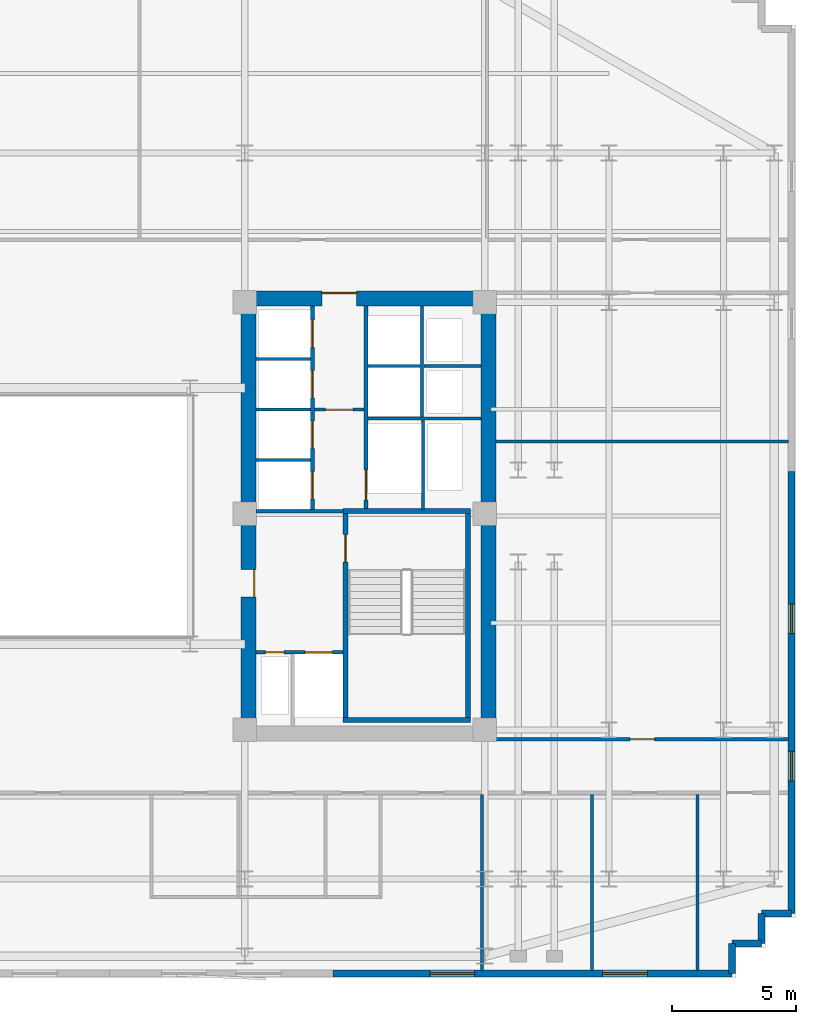
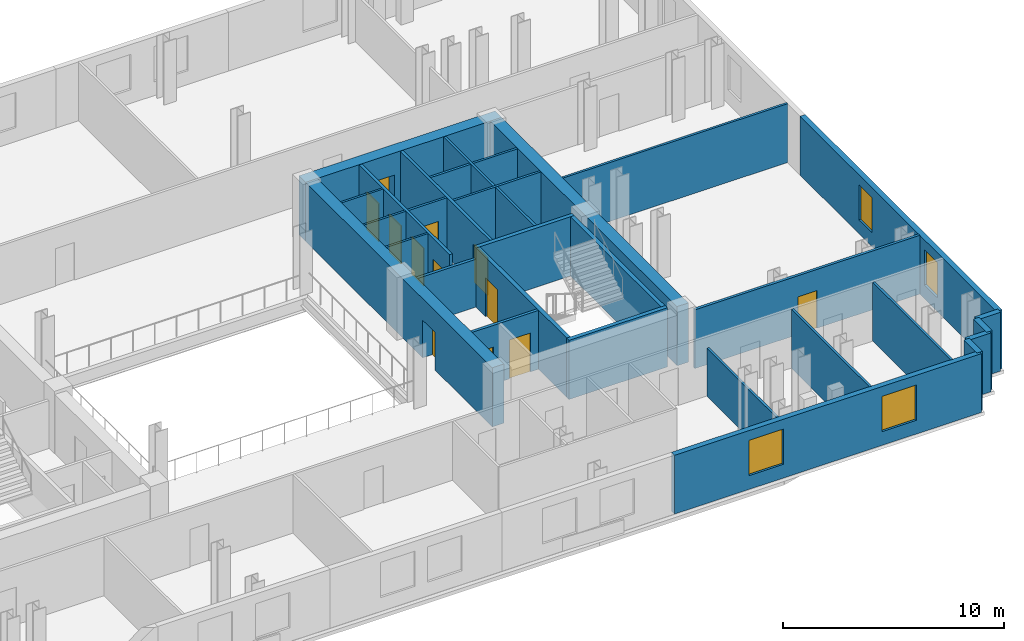
# One storey, part 6 of 9: 31 walls, 12 doors, 4 windows, 16 openings.
"""IFC4 building model written with IfcOpenShell, lengths in metres."""

from ifc_helpers import new_model, si_unit, direction, frame, frame_2d, origin, place, context, subcontext, project, spatial, rectangle, extrude, material, layer, layer_set, type_object, element, fill, save


model = new_model("IFC4")

# Units and contexts
model_context = context("Model", 3, precision=1e-05, world=origin(), true_north=direction((0.0, 1.0)))
body_context = subcontext(model_context, "Body", "Model", "MODEL_VIEW")
ifc_project = project(units=[si_unit("LENGTHUNIT", "METRE"), si_unit("AREAUNIT", "SQUARE_METRE"), si_unit("VOLUMEUNIT", "CUBIC_METRE"), si_unit("PLANEANGLEUNIT", "RADIAN"), si_unit("MASSUNIT", "GRAM", prefix="KILO")], contexts=[model_context])

# Site, building, storey
site_placement = place(None, origin())
site = spatial("IfcSite", under=ifc_project, at=site_placement, CompositionType="ELEMENT")
building_placement = place(site_placement, origin())
building = spatial("IfcBuilding", under=site, at=building_placement, Name="Velakula Bourse", CompositionType="ELEMENT")
storey_placement = place(building_placement, frame((0.0, 0.0, 131.199951171875)))
storey = spatial("IfcBuildingStorey", under=building, at=storey_placement, Name="L35", CompositionType="ELEMENT", Elevation=131.199951171875)

# Wall, opening, door
ifc_material_1 = material(Name="Concrete M50 (fck 50 MPa)", Category="concrete")
ifc_layer_1 = layer(ifc_material_1, 0.2099609375, Name="Concrete M50 (fck 50 MPa)", Category="concrete")
ifc_layer_set_1 = layer_set([ifc_layer_1], Name="Concrete M50 (fck 50 MPa)")
wall_type_1 = type_object("IfcWallType", Name="WL-CORE-210", PredefinedType="SHEAR", material=ifc_layer_set_1)
wall_1_placement = place(storey_placement, frame((12.9951171875, -8.10009765625, 0.0), z_axis=(0.0, 0.0, 1.0), x_axis=(0.0, 1.0, 0.0)))
wall_1 = element("IfcWall", 1, at=wall_1_placement, inside=storey, type_object=wall_type_1, Name="L35 Core E Stairwell Shear Wall IN", PredefinedType="SHEAR", context=body_context, shape_type="SweptSolid", body=[
    extrude(rectangle(XDim=8.2001953125, YDim=0.2099609375, at=frame_2d((4.10009765625, 0.0))), origin(), (0.0, 0.0, 1.0), 3.27001953125),
])
opening_1_placement = place(wall_1_placement, frame((6.25, 0.0, 0.0)))
opening_1 = element("IfcOpeningElement", 2, at=opening_1_placement, cuts=wall_1, Name="Opening D-STE1", PredefinedType="OPENING", context=body_context, shape_type="SweptSolid", body=[
    extrude(rectangle(XDim=1.10009765625, YDim=2.14990234375, at=frame_2d((0.550048828125, 1.074951171875))), frame((0.0, 0.114990234375, 0.0), z_axis=(0.0, -1.0, 0.0), x_axis=(1.0, 0.0, 0.0)), (0.0, 0.0, 1.0), 0.22998046875),
])
ifc_material_2 = material(Name="Galvanised painted hollow steel fire door", Category="steel")
door_type_1 = type_object("IfcDoorType", Name="DR-FD120-1100x2150", OperationType="NOTDEFINED", PredefinedType="DOOR", material=ifc_material_2)
door_1_placement = place(opening_1_placement, origin())
door_1 = element("IfcDoor", 3, at=door_1_placement, inside=storey, type_object=door_type_1, Name="L35 Stair ST-E1 Fire Door", OperationType="SINGLE_SWING_RIGHT", OverallHeight=2.14990234375, OverallWidth=1.10009765625, PredefinedType="DOOR", context=body_context, shape_type="SweptSolid", body=[
    extrude(rectangle(XDim=1.10009765625, YDim=2.14990234375, at=frame_2d((0.550048828125, 1.074951171875))), frame((0.0, 0.02490234375, 0.0), z_axis=(0.0, -1.0, 0.0), x_axis=(1.0, 0.0, 0.0)), (0.0, 0.0, 1.0), 0.050048828125),
])
fill(opening_1, door_1)

# Walls
wall_2_placement = place(storey_placement, frame((17.925048828125, -8.10009765625, 0.0), z_axis=(0.0, 0.0, 1.0), x_axis=(0.0, 1.0, 0.0)))
element("IfcWall", 4, at=wall_2_placement, inside=storey, type_object=wall_type_1, Name="L35 Core E Stairwell Shear Wall OUT", PredefinedType="SHEAR", context=body_context, shape_type="SweptSolid", body=[
    extrude(rectangle(XDim=8.2001953125, YDim=0.2099609375, at=frame_2d((4.10009765625, 0.0))), origin(), (0.0, 0.0, 1.0), 3.27001953125),
])
for number, where, z_axis, x_axis, name in (
    (5, (12.889892578125, -8.205078125, 0.0), (0.0, 0.0, 1.0), (1.0, 0.0, 0.0), "L35 Core E Stairwell Shear Wall S"),
    (6, (18.030029296875, 0.205078125, 0.0), (0.0, 0.0, 1.0), (-1.0, 0.0, 0.0), "L35 Core E Stairwell Shear Wall N"),
):
    element("IfcWall", number, at=place(storey_placement, frame(where, z_axis=z_axis, x_axis=x_axis)), inside=storey, type_object=wall_type_1, Name=name, PredefinedType="SHEAR", context=body_context, shape_type="SweptSolid", body=[
        extrude(rectangle(XDim=5.14013671875, YDim=0.2099609375, at=frame_2d((2.570068359375, 0.0))), origin(), (0.0, 0.0, 1.0), 3.27001953125),
    ])

# Wall, opening, door
ifc_material_3 = material(Name="Concrete M70 (fck 70 MPa)", Category="concrete")
ifc_layer_2 = layer(ifc_material_3, 0.60009765625, Name="Concrete M70 (fck 70 MPa)", Category="concrete")
ifc_layer_set_2 = layer_set([ifc_layer_2], Name="Concrete M70 (fck 70 MPa)")
wall_type_2 = type_object("IfcWallType", Name="WL-CORE-600", PredefinedType="SHEAR", material=ifc_layer_set_2)
wall_3_placement = place(storey_placement, frame((8.800048828125, 8.75, 0.0), z_axis=(0.0, 0.0, 1.0), x_axis=(1.0, 0.0, 0.0)))
wall_3 = element("IfcWall", 7, at=wall_3_placement, inside=storey, type_object=wall_type_2, Name="L35 Core E Shear Wall N", PredefinedType="SHEAR", context=body_context, shape_type="SweptSolid", body=[
    extrude(rectangle(XDim=10.25, YDim=0.60009765625, at=frame_2d((5.125, 0.0))), origin(), (0.0, 0.0, 1.0), 3.27001953125),
])
opening_2_placement = place(wall_3_placement, frame((3.25, 0.0, 0.0)))
opening_2 = element("IfcOpeningElement", 8, at=opening_2_placement, cuts=wall_3, Name="Opening D-LLE", PredefinedType="OPENING", context=body_context, shape_type="SweptSolid", body=[
    extrude(rectangle(XDim=1.39990234375, YDim=2.050048828125, at=frame_2d((0.699951171875, 1.02490234375))), frame((0.0, 0.31005859375, 0.0), z_axis=(0.0, -1.0, 0.0), x_axis=(1.0, 0.0, 0.0)), (0.0, 0.0, 1.0), 0.6201171875),
])
ifc_material_4 = material(Name="Fire-rated hardwood flush architectural door", Category="wood")
door_type_2 = type_object("IfcDoorType", Name="DR-DBL-FD60-1400", OperationType="DOUBLE_DOOR_SINGLE_SWING", PredefinedType="DOOR", material=ifc_material_4)
door_2_placement = place(opening_2_placement, origin())
door_2 = element("IfcDoor", 9, at=door_2_placement, inside=storey, type_object=door_type_2, Name="L35 Core E Lift Lobby Corridor Double Door", OperationType="DOUBLE_DOOR_SINGLE_SWING", OverallHeight=2.050048828125, OverallWidth=1.39990234375, PredefinedType="DOOR", context=body_context, shape_type="SweptSolid", body=[
    extrude(rectangle(XDim=1.39990234375, YDim=2.050048828125, at=frame_2d((0.699951171875, 1.02490234375))), frame((0.0, 0.2451171875, 0.0), z_axis=(0.0, -1.0, 0.0), x_axis=(1.0, 0.0, 0.0)), (0.0, 0.0, 1.0), 0.050048828125),
])
fill(opening_2, door_2)

wall_4_placement = place(storey_placement, frame((9.10009765625, -8.449951171875, 0.0), z_axis=(0.0, 0.0, 1.0), x_axis=(0.0, 1.0, 0.0)))
wall_4 = element("IfcWall", 10, at=wall_4_placement, inside=storey, type_object=wall_type_2, Name="L35 Core E Shear Wall W", PredefinedType="SHEAR", context=body_context, shape_type="SweptSolid", body=[
    extrude(rectangle(XDim=16.89990234375, YDim=0.60009765625, at=frame_2d((8.449951171875, 0.0))), origin(), (0.0, 0.0, 1.0), 3.27001953125),
])
opening_3_placement = place(wall_4_placement, frame((5.199951171875, 0.0, 0.0)))
opening_3 = element("IfcOpeningElement", 11, at=opening_3_placement, cuts=wall_4, Name="Opening D-FLE", PredefinedType="OPENING", context=body_context, shape_type="SweptSolid", body=[
    extrude(rectangle(XDim=1.10009765625, YDim=2.080078125, at=frame_2d((0.550048828125, 1.0400390625))), frame((0.0, 0.31005859375, 0.0), z_axis=(0.0, -1.0, 0.0), x_axis=(1.0, 0.0, 0.0)), (0.0, 0.0, 1.0), 0.6201171875),
])
door_type_3 = type_object("IfcDoorType", Name="DR-FD120-1100", OperationType="NOTDEFINED", PredefinedType="DOOR", material=ifc_material_2)
door_3_placement = place(opening_3_placement, origin())
door_3 = element("IfcDoor", 12, at=door_3_placement, inside=storey, type_object=door_type_3, Name="L35 Firefighting Lobby E Corridor Fire Door", OperationType="SINGLE_SWING_RIGHT", OverallHeight=2.080078125, OverallWidth=1.10009765625, PredefinedType="DOOR", context=body_context, shape_type="SweptSolid", body=[
    extrude(rectangle(XDim=1.10009765625, YDim=2.080078125, at=frame_2d((0.550048828125, 1.0400390625))), frame((0.0, -0.205078125, 0.0), z_axis=(0.0, -1.0, 0.0), x_axis=(1.0, 0.0, 0.0)), (0.0, 0.0, 1.0), 0.050048828125),
])
fill(opening_3, door_3)

# Wall
wall_5_placement = place(storey_placement, frame((18.75, -8.449951171875, 0.0), z_axis=(0.0, 0.0, 1.0), x_axis=(0.0, 1.0, 0.0)))
element("IfcWall", 13, at=wall_5_placement, inside=storey, type_object=wall_type_2, Name="L35 Core E Shear Wall E", PredefinedType="SHEAR", context=body_context, shape_type="SweptSolid", body=[
    extrude(rectangle(XDim=16.89990234375, YDim=0.60009765625, at=frame_2d((8.449951171875, 0.0))), origin(), (0.0, 0.0, 1.0), 3.27001953125),
])

# Wall, openings, windows
ifc_material_5 = material(Name="Red kilned clay facing brick masonry", Category="masonry")
ifc_layer_3 = layer(ifc_material_5, 0.280029296875, Name="Red kilned clay facing brick masonry", Category="masonry")
ifc_layer_set_3 = layer_set([ifc_layer_3], Name="Red kilned clay facing brick masonry")
wall_type_3 = type_object("IfcWallType", Name="WL-EXT-BRK-280", PredefinedType="STANDARD", material=ifc_layer_set_3)
wall_6_placement = place(storey_placement, frame((28.5400390625, -18.389892578125, 0.0), z_axis=(0.0, 0.0, 1.0), x_axis=(-1.0, 0.0, 0.0)))
wall_6 = element("IfcWall", 14, at=wall_6_placement, inside=storey, type_object=wall_type_3, Name="L35 S Brick Spandrel Wall B5", PredefinedType="STANDARD", context=body_context, shape_type="SweptSolid", body=[
    extrude(rectangle(XDim=16.0400390625, YDim=0.280029296875, at=frame_2d((8.02001953125, 0.0))), origin(), (0.0, 0.0, 1.0), 3.25),
])
opening_4_placement = place(wall_6_placement, frame((3.396728515625, 0.0, 0.760009765625)))
opening_4 = element("IfcOpeningElement", 15, at=opening_4_placement, cuts=wall_6, Name="Opening W-01", PredefinedType="OPENING", context=body_context, shape_type="SweptSolid", body=[
    extrude(rectangle(XDim=1.800048828125, YDim=1.949951171875, at=frame_2d((0.89990234375, 0.97509765625))), frame((0.0, 0.14990234375, 0.0), z_axis=(0.0, -1.0, 0.0), x_axis=(1.0, 0.0, 0.0)), (0.0, 0.0, 1.0), 0.300048828125),
])
opening_5_placement = place(wall_6_placement, frame((10.34326171875, 0.0, 0.760009765625)))
opening_5 = element("IfcOpeningElement", 16, at=opening_5_placement, cuts=wall_6, Name="Opening W-01", PredefinedType="OPENING", context=body_context, shape_type="SweptSolid", body=[
    extrude(rectangle(XDim=1.800048828125, YDim=1.949951171875, at=frame_2d((0.89990234375, 0.97509765625))), frame((0.0, 0.14990234375, 0.0), z_axis=(0.0, -1.0, 0.0), x_axis=(1.0, 0.0, 0.0)), (0.0, 0.0, 1.0), 0.300048828125),
])
ifc_material_6 = material(Name="Double-glazed solar-control Low-E glass", Category="glass")
window_type_1 = type_object("IfcWindowType", Name="WIN-TWR-1800x2100", PartitioningType="SINGLE_PANEL", PredefinedType="WINDOW", material=ifc_material_6)
window_1_placement = place(opening_4_placement, origin())
window_1 = element("IfcWindow", 17, at=window_1_placement, inside=storey, type_object=window_type_1, Name="L35 Deep-Set Recessed Window 1", OverallHeight=1.949951171875, OverallWidth=1.800048828125, PartitioningType="SINGLE_PANEL", PredefinedType="WINDOW", context=body_context, shape_type="SweptSolid", body=[
    extrude(rectangle(XDim=1.800048828125, YDim=1.949951171875, at=frame_2d((0.89990234375, 0.97509765625))), frame((0.0, 0.030029296875, 0.0), z_axis=(0.0, -1.0, 0.0), x_axis=(1.0, 0.0, 0.0)), (0.0, 0.0, 1.0), 0.06005859375),
])
fill(opening_4, window_1)
window_2_placement = place(opening_5_placement, origin())
window_2 = element("IfcWindow", 18, at=window_2_placement, inside=storey, type_object=window_type_1, Name="L35 Deep-Set Recessed Window 2", OverallHeight=1.949951171875, OverallWidth=1.800048828125, PartitioningType="SINGLE_PANEL", PredefinedType="WINDOW", context=body_context, shape_type="SweptSolid", body=[
    extrude(rectangle(XDim=1.800048828125, YDim=1.949951171875, at=frame_2d((0.89990234375, 0.97509765625))), frame((0.0, 0.030029296875, 0.0), z_axis=(0.0, -1.0, 0.0), x_axis=(1.0, 0.0, 0.0)), (0.0, 0.0, 1.0), 0.06005859375),
])
fill(opening_5, window_2)

wall_7_placement = place(storey_placement, frame((30.93994140625, 1.800048828125, 0.0), z_axis=(0.0, 0.0, 1.0), x_axis=(0.0, -1.0, 0.0)))
wall_7 = element("IfcWall", 19, at=wall_7_placement, inside=storey, type_object=wall_type_3, Name="L35 E Brick End Wall W1", PredefinedType="STANDARD", context=body_context, shape_type="SweptSolid", body=[
    extrude(rectangle(XDim=17.7900390625, YDim=0.280029296875, at=frame_2d((8.89501953125, 0.0))), origin(), (0.0, 0.0, 1.0), 3.25),
])
opening_6_placement = place(wall_7_placement, frame((5.330078125, 0.0, 0.760009765625)))
opening_6 = element("IfcOpeningElement", 20, at=opening_6_placement, cuts=wall_7, Name="Opening W-04", PredefinedType="OPENING", context=body_context, shape_type="SweptSolid", body=[
    extrude(rectangle(XDim=1.199951171875, YDim=1.949951171875, at=frame_2d((0.60009765625, 0.97509765625))), frame((0.0, 0.14990234375, 0.0), z_axis=(0.0, -1.0, 0.0), x_axis=(1.0, 0.0, 0.0)), (0.0, 0.0, 1.0), 0.300048828125),
])
opening_7_placement = place(wall_7_placement, frame((11.260009765625, 0.0, 0.760009765625)))
opening_7 = element("IfcOpeningElement", 21, at=opening_7_placement, cuts=wall_7, Name="Opening W-04", PredefinedType="OPENING", context=body_context, shape_type="SweptSolid", body=[
    extrude(rectangle(XDim=1.199951171875, YDim=1.949951171875, at=frame_2d((0.60009765625, 0.97509765625))), frame((0.0, 0.14990234375, 0.0), z_axis=(0.0, -1.0, 0.0), x_axis=(1.0, 0.0, 0.0)), (0.0, 0.0, 1.0), 0.300048828125),
])
window_type_2 = type_object("IfcWindowType", Name="WIN-TWR-1200x2100", PartitioningType="SINGLE_PANEL", PredefinedType="WINDOW", material=ifc_material_6)
window_3_placement = place(opening_6_placement, origin())
window_3 = element("IfcWindow", 22, at=window_3_placement, inside=storey, type_object=window_type_2, Name="L35 Deep-Set Recessed Window 1", OverallHeight=1.949951171875, OverallWidth=1.199951171875, PartitioningType="SINGLE_PANEL", PredefinedType="WINDOW", context=body_context, shape_type="SweptSolid", body=[
    extrude(rectangle(XDim=1.199951171875, YDim=1.949951171875, at=frame_2d((0.60009765625, 0.97509765625))), frame((0.0, 0.030029296875, 0.0), z_axis=(0.0, -1.0, 0.0), x_axis=(1.0, 0.0, 0.0)), (0.0, 0.0, 1.0), 0.06005859375),
])
fill(opening_6, window_3)
window_4_placement = place(opening_7_placement, origin())
window_4 = element("IfcWindow", 23, at=window_4_placement, inside=storey, type_object=window_type_2, Name="L35 Deep-Set Recessed Window 2", OverallHeight=1.949951171875, OverallWidth=1.199951171875, PartitioningType="SINGLE_PANEL", PredefinedType="WINDOW", context=body_context, shape_type="SweptSolid", body=[
    extrude(rectangle(XDim=1.199951171875, YDim=1.949951171875, at=frame_2d((0.60009765625, 0.97509765625))), frame((0.0, 0.030029296875, 0.0), z_axis=(0.0, -1.0, 0.0), x_axis=(1.0, 0.0, 0.0)), (0.0, 0.0, 1.0), 0.06005859375),
])
fill(opening_7, window_4)

# Walls
for number, where, z_axis, x_axis, name in (
    (24, (28.5400390625, -18.389892578125, 0.0), (0.0, 0.0, 1.0), (0.0, 1.0, 0.0), "L35 Serrated Corner Brick Wall SE-1"),
    (25, (28.5400390625, -17.18994140625, 0.0), (0.0, 0.0, 1.0), (1.0, 0.0, 0.0), "L35 Serrated Corner Brick Wall SE-2"),
    (26, (29.739990234375, -17.18994140625, 0.0), (0.0, 0.0, 1.0), (0.0, 1.0, 0.0), "L35 Serrated Corner Brick Wall SE-3"),
    (27, (29.739990234375, -15.989990234375, 0.0), (0.0, 0.0, 1.0), (1.0, 0.0, 0.0), "L35 Serrated Corner Brick Wall SE-4"),
):
    element("IfcWall", number, at=place(storey_placement, frame(where, z_axis=z_axis, x_axis=x_axis)), inside=storey, type_object=wall_type_3, Name=name, PredefinedType="STANDARD", context=body_context, shape_type="SweptSolid", body=[
        extrude(rectangle(XDim=1.199951171875, YDim=0.280029296875, at=frame_2d((0.60009765625, 0.0))), origin(), (0.0, 0.0, 1.0), 3.25),
    ])

# Wall, opening, door
ifc_material_7 = material(Name="Fire-rated double-layer gypsum drywall partition", Category="gypsum")
ifc_layer_4 = layer(ifc_material_7, 0.1201171875, Name="Fire-rated double-layer gypsum drywall partition", Category="gypsum")
ifc_layer_set_4 = layer_set([ifc_layer_4], Name="Fire-rated double-layer gypsum drywall partition")
wall_type_4 = type_object("IfcWallType", Name="WL-PART-120", PredefinedType="STANDARD", material=ifc_layer_set_4)
wall_8_placement = place(storey_placement, frame((11.75, 4.280029296875, 0.0), z_axis=(0.0, 0.0, 1.0), x_axis=(1.0, 0.0, 0.0)))
wall_8 = element("IfcWall", 28, at=wall_8_placement, inside=storey, type_object=wall_type_4, Name="L35 Interior Partition WL-CRE-L35-LL-K2", PredefinedType="STANDARD", context=body_context, shape_type="SweptSolid", body=[
    extrude(rectangle(XDim=2.0, YDim=0.1201171875, at=frame_2d((1.0, 0.0))), origin(), (0.0, 0.0, 1.0), 3.25),
])
opening_8_placement = place(wall_8_placement, frame((0.449951171875, 0.0, 0.0)))
opening_8 = element("IfcOpeningElement", 29, at=opening_8_placement, cuts=wall_8, Name="Opening D-LK2", PredefinedType="OPENING", context=body_context, shape_type="SweptSolid", body=[
    extrude(rectangle(XDim=1.10009765625, YDim=2.10009765625, at=frame_2d((0.550048828125, 1.050048828125))), frame((0.0, 0.070068359375, 0.0), z_axis=(0.0, -1.0, 0.0), x_axis=(1.0, 0.0, 0.0)), (0.0, 0.0, 1.0), 0.14013671875),
])
door_type_4 = type_object("IfcDoorType", Name="DR-FD60-1100x2100", OperationType="NOTDEFINED", PredefinedType="DOOR", material=ifc_material_4)
door_4_placement = place(opening_8_placement, origin())
door_4 = element("IfcDoor", 30, at=door_4_placement, inside=storey, type_object=door_type_4, Name="L35 Core E Lift Lobby Zone Door", OperationType="SINGLE_SWING_LEFT", OverallHeight=2.10009765625, OverallWidth=1.10009765625, PredefinedType="DOOR", context=body_context, shape_type="SweptSolid", body=[
    extrude(rectangle(XDim=1.10009765625, YDim=2.10009765625, at=frame_2d((0.550048828125, 1.050048828125))), frame((0.0, 0.02490234375, 0.0), z_axis=(0.0, -1.0, 0.0), x_axis=(1.0, 0.0, 0.0)), (0.0, 0.0, 1.0), 0.050048828125),
])
fill(opening_8, door_4)

# Walls
for number, where, z_axis, x_axis, name in (
    (31, (9.39990234375, 2.2548828125, 0.0), (0.0, 0.0, 1.0), (1.0, 0.0, 0.0), "L35 Interior Partition WL-CRE-L35-BDIV-0"),
    (32, (9.39990234375, 4.284912109375, 0.0), (0.0, 0.0, 1.0), (1.0, 0.0, 0.0), "L35 Interior Partition WL-CRE-L35-BDIV-1"),
    (33, (9.39990234375, 6.31494140625, 0.0), (0.0, 0.0, 1.0), (1.0, 0.0, 0.0), "L35 Interior Partition WL-CRE-L35-BDIV-2"),
):
    element("IfcWall", number, at=place(storey_placement, frame(where, z_axis=z_axis, x_axis=x_axis)), inside=storey, type_object=wall_type_4, Name=name, PredefinedType="STANDARD", context=body_context, shape_type="SweptSolid", body=[
        extrude(rectangle(XDim=2.2001953125, YDim=0.110107421875, at=frame_2d((1.10009765625, 0.0))), origin(), (0.0, 0.0, 1.0), 3.25),
    ])
wall_9_placement = place(storey_placement, frame((13.89990234375, 3.919921875, 0.0), z_axis=(0.0, 0.0, 1.0), x_axis=(1.0, 0.0, 0.0)))
element("IfcWall", 34, at=wall_9_placement, inside=storey, type_object=wall_type_4, Name="L35 Interior Partition WL-CRE-L35-HI-S", PredefinedType="STANDARD", context=body_context, shape_type="SweptSolid", body=[
    extrude(rectangle(XDim=4.550048828125, YDim=0.1201171875, at=frame_2d((2.27490234375, 0.0))), origin(), (0.0, 0.0, 1.0), 3.25),
])
wall_10_placement = place(storey_placement, frame((16.14990234375, 6.030029296875, 0.0), z_axis=(0.0, 0.0, 1.0), x_axis=(1.0, 0.0, 0.0)))
element("IfcWall", 35, at=wall_10_placement, inside=storey, type_object=wall_type_4, Name="L35 Interior Partition WL-CRE-L35-RIS-MID", PredefinedType="STANDARD", context=body_context, shape_type="SweptSolid", body=[
    extrude(rectangle(XDim=2.300048828125, YDim=0.1201171875, at=frame_2d((1.14990234375, 0.0))), origin(), (0.0, 0.0, 1.0), 3.25),
])
wall_11_placement = place(storey_placement, frame((16.074951171875, 3.97998046875, 0.0), z_axis=(0.0, 0.0, 1.0), x_axis=(0.0, 1.0, 0.0)))
element("IfcWall", 36, at=wall_11_placement, inside=storey, type_object=wall_type_4, Name="L35 Interior Partition WL-CRE-L35-RIS-F", PredefinedType="STANDARD", context=body_context, shape_type="SweptSolid", body=[
    extrude(rectangle(XDim=4.469970703125, YDim=0.1201171875, at=frame_2d((2.23486328125, 0.0))), origin(), (0.0, 0.0, 1.0), 3.25),
])
wall_12_placement = place(storey_placement, frame((13.89990234375, 6.030029296875, 0.0), z_axis=(0.0, 0.0, 1.0), x_axis=(1.0, 0.0, 0.0)))
element("IfcWall", 37, at=wall_12_placement, inside=storey, type_object=wall_type_4, Name="L35 Interior Partition WL-CRE-L35-HI-DIV", PredefinedType="STANDARD", context=body_context, shape_type="SweptSolid", body=[
    extrude(rectangle(XDim=2.10009765625, YDim=0.1201171875, at=frame_2d((1.050048828125, 0.0))), origin(), (0.0, 0.0, 1.0), 3.25),
])
wall_13_placement = place(storey_placement, frame((16.125, 0.27001953125, 0.0), z_axis=(0.0, 0.0, 1.0), x_axis=(0.0, 1.0, 0.0)))
element("IfcWall", 38, at=wall_13_placement, inside=storey, type_object=wall_type_4, Name="L35 Interior Partition WL-CRE-L35-SVL-E", PredefinedType="STANDARD", context=body_context, shape_type="SweptSolid", body=[
    extrude(rectangle(XDim=3.590087890625, YDim=0.1201171875, at=frame_2d((1.794921875, 0.0))), origin(), (0.0, 0.0, 1.0), 3.25),
])
wall_14_placement = place(storey_placement, frame((18.489990234375, -18.27001953125, 0.0), z_axis=(0.0, 0.0, 1.0), x_axis=(0.0, 1.0, 0.0)))
element("IfcWall", 39, at=wall_14_placement, inside=storey, type_object=wall_type_4, Name="L35 Interior Partition WL-INT-L35-SR-D8", PredefinedType="STANDARD", context=body_context, shape_type="SweptSolid", body=[
    extrude(rectangle(XDim=7.080078125, YDim=0.1201171875, at=frame_2d((3.5400390625, 0.0))), origin(), (0.0, 0.0, 1.0), 2.64501953125),
])
for number, where, z_axis, x_axis, name in (
    (40, (22.906982421875, -18.27001953125, 0.0), (0.0, 0.0, 1.0), (0.0, 1.0, 0.0), "L35 Interior Partition WL-INT-L35-SR-D9"),
    (41, (27.160888671875, -18.27001953125, 0.0), (0.0, 0.0, 1.0), (0.0, 1.0, 0.0), "L35 Interior Partition WL-INT-L35-SR-D10"),
):
    element("IfcWall", number, at=place(storey_placement, frame(where, z_axis=z_axis, x_axis=x_axis)), inside=storey, type_object=wall_type_4, Name=name, PredefinedType="STANDARD", context=body_context, shape_type="SweptSolid", body=[
        extrude(rectangle(XDim=7.080078125, YDim=0.1201171875, at=frame_2d((3.5400390625, 0.0))), origin(), (0.0, 0.0, 1.0), 3.25),
    ])
wall_15_placement = place(storey_placement, frame((19.050048828125, 3.0, 0.0), z_axis=(0.0, 0.0, 1.0), x_axis=(1.0, 0.0, 0.0)))
element("IfcWall", 42, at=wall_15_placement, inside=storey, type_object=wall_type_4, Name="L35 Interior Partition WL-INT-L35-E-H", PredefinedType="STANDARD", context=body_context, shape_type="SweptSolid", body=[
    extrude(rectangle(XDim=11.77001953125, YDim=0.1201171875, at=frame_2d((5.885009765625, 0.0))), origin(), (0.0, 0.0, 1.0), 3.25),
])

# Wall, opening, door
ifc_layer_5 = layer(ifc_material_7, 0.139892578125, Name="Fire-rated double-layer gypsum drywall partition", Category="gypsum")
ifc_layer_set_5 = layer_set([ifc_layer_5], Name="Fire-rated double-layer gypsum drywall partition")
wall_type_5 = type_object("IfcWallType", Name="WL-PART-140", PredefinedType="STANDARD", material=ifc_layer_set_5)
wall_16_placement = place(storey_placement, frame((19.050048828125, -8.97998046875, 0.0), z_axis=(0.0, 0.0, 1.0), x_axis=(1.0, 0.0, 0.0)))
wall_16 = element("IfcWall", 43, at=wall_16_placement, inside=storey, type_object=wall_type_5, Name="L35 Interior Partition WL-INT-L35-E-SC", PredefinedType="STANDARD", context=body_context, shape_type="SweptSolid", body=[
    extrude(rectangle(XDim=11.77001953125, YDim=0.139892578125, at=frame_2d((5.885009765625, 0.0))), origin(), (0.0, 0.0, 1.0), 3.25),
])
opening_9_placement = place(wall_16_placement, frame((5.385009765625, 0.0, 0.0)))
opening_9 = element("IfcOpeningElement", 44, at=opening_9_placement, cuts=wall_16, Name="Opening D-OF1", PredefinedType="OPENING", context=body_context, shape_type="SweptSolid", body=[
    extrude(rectangle(XDim=1.0, YDim=2.080078125, at=frame_2d((0.5, 1.0400390625))), frame((0.0, 0.079833984375, 0.0), z_axis=(0.0, -1.0, 0.0), x_axis=(1.0, 0.0, 0.0)), (0.0, 0.0, 1.0), 0.159912109375),
])
door_type_5 = type_object("IfcDoorType", Name="DR-OFF-1000", OperationType="NOTDEFINED", PredefinedType="DOOR", material=ifc_material_4)
door_5_placement = place(opening_9_placement, origin())
door_5 = element("IfcDoor", 45, at=door_5_placement, inside=storey, type_object=door_type_5, Name="L35 FX Spot Dealing Workspace Door", OperationType="SINGLE_SWING_RIGHT", OverallHeight=2.080078125, OverallWidth=1.0, PredefinedType="DOOR", context=body_context, shape_type="SweptSolid", body=[
    extrude(rectangle(XDim=1.0, YDim=2.080078125, at=frame_2d((0.5, 1.0400390625))), frame((0.0, 0.02490234375, 0.0), z_axis=(0.0, -1.0, 0.0), x_axis=(1.0, 0.0, 0.0)), (0.0, 0.0, 1.0), 0.050048828125),
])
fill(opening_9, door_5)

# Wall, openings, doors
ifc_material_8 = material(Name="Autoclaved aerated concrete blockwork masonry", Category="masonry")
ifc_layer_6 = layer(ifc_material_8, 0.14990234375, Name="Autoclaved aerated concrete blockwork masonry", Category="masonry")
ifc_layer_set_6 = layer_set([ifc_layer_6], Name="Autoclaved aerated concrete blockwork masonry")
wall_type_6 = type_object("IfcWallType", Name="WL-SHAFT-150", PredefinedType="STANDARD", material=ifc_layer_set_6)
wall_17_placement = place(storey_placement, frame((9.39990234375, -5.47509765625, 0.0), z_axis=(0.0, 0.0, 1.0), x_axis=(1.0, 0.0, 0.0)))
wall_17 = element("IfcWall", 46, at=wall_17_placement, inside=storey, type_object=wall_type_6, Name="L35 Interior Partition WL-CRE-L35-FFL-N", PredefinedType="STANDARD", context=body_context, shape_type="SweptSolid", body=[
    extrude(rectangle(XDim=3.4951171875, YDim=0.14990234375, at=frame_2d((1.74755859375, 0.0))), origin(), (0.0, 0.0, 1.0), 3.25),
])
opening_10_placement = place(wall_17_placement, frame((1.97509765625, 0.0, 0.0)))
opening_10 = element("IfcOpeningElement", 47, at=opening_10_placement, cuts=wall_17, Name="Opening LD-FFL-2", PredefinedType="OPENING", context=body_context, shape_type="SweptSolid", body=[
    extrude(rectangle(XDim=1.10009765625, YDim=2.14990234375, at=frame_2d((0.550048828125, 1.074951171875))), frame((0.0, 0.0849609375, 0.0), z_axis=(0.0, -1.0, 0.0), x_axis=(1.0, 0.0, 0.0)), (0.0, 0.0, 1.0), 0.169921875),
])
opening_11_placement = place(wall_17_placement, frame((0.375, 0.0, 0.0)))
opening_11 = element("IfcOpeningElement", 48, at=opening_11_placement, cuts=wall_17, Name="Opening D-RS1", PredefinedType="OPENING", context=body_context, shape_type="SweptSolid", body=[
    extrude(rectangle(XDim=0.75, YDim=2.050048828125, at=frame_2d((0.375, 1.02490234375))), frame((0.0, 0.0849609375, 0.0), z_axis=(0.0, -1.0, 0.0), x_axis=(1.0, 0.0, 0.0)), (0.0, 0.0, 1.0), 0.169921875),
])
door_type_6 = type_object("IfcDoorType", Name="DR-RISER-800", OperationType="NOTDEFINED", PredefinedType="DOOR", material=ifc_material_2)
door_6_placement = place(opening_11_placement, origin())
door_6 = element("IfcDoor", 49, at=door_6_placement, inside=storey, type_object=door_type_6, Name="L35 Fire Riser Access Door", OperationType="SINGLE_SWING_LEFT", OverallHeight=2.050048828125, OverallWidth=0.75, PredefinedType="DOOR", context=body_context, shape_type="SweptSolid", body=[
    extrude(rectangle(XDim=0.75, YDim=2.050048828125, at=frame_2d((0.375, 1.02490234375))), frame((0.0, 0.02490234375, 0.0), z_axis=(0.0, -1.0, 0.0), x_axis=(1.0, 0.0, 0.0)), (0.0, 0.0, 1.0), 0.050048828125),
])
fill(opening_11, door_6)
ifc_material_9 = material(Name="Brushed grade 316 stainless steel", Category="steel")
door_type_7 = type_object("IfcDoorType", Name="DR-SLIDE-FFL-1100", OperationType="DOUBLE_DOOR_SLIDING", PredefinedType="DOOR", material=ifc_material_9)
door_7_placement = place(opening_10_placement, origin())
door_7 = element("IfcDoor", 50, at=door_7_placement, inside=storey, type_object=door_type_7, Name="L35 Firefighting Lift FFL-2 Sliding Landing Door", OperationType="DOUBLE_DOOR_SLIDING", OverallHeight=2.14990234375, OverallWidth=1.10009765625, PredefinedType="DOOR", context=body_context, shape_type="SweptSolid", body=[
    extrude(rectangle(XDim=1.10009765625, YDim=2.14990234375, at=frame_2d((0.550048828125, 1.074951171875))), frame((0.0, 0.02490234375, 0.0), z_axis=(0.0, -1.0, 0.0), x_axis=(1.0, 0.0, 0.0)), (0.0, 0.0, 1.0), 0.050048828125),
])
fill(opening_10, door_7)

# Wall
wall_18_placement = place(storey_placement, frame((9.39990234375, 0.18994140625, 0.0), z_axis=(0.0, 0.0, 1.0), x_axis=(1.0, 0.0, 0.0)))
element("IfcWall", 51, at=wall_18_placement, inside=storey, type_object=wall_type_6, Name="L35 Interior Partition WL-CRE-L35-FF-TOP", PredefinedType="STANDARD", context=body_context, shape_type="SweptSolid", body=[
    extrude(rectangle(XDim=3.489990234375, YDim=0.14990234375, at=frame_2d((1.7451171875, 0.0))), origin(), (0.0, 0.0, 1.0), 2.64501953125),
])

# Wall, openings, doors
wall_19_placement = place(storey_placement, frame((11.675048828125, 0.27001953125, 0.0), z_axis=(0.0, 0.0, 1.0), x_axis=(0.0, 1.0, 0.0)))
wall_19 = element("IfcWall", 52, at=wall_19_placement, inside=storey, type_object=wall_type_6, Name="L35 Interior Partition WL-CRE-L35-BANK-F", PredefinedType="STANDARD", context=body_context, shape_type="SweptSolid", body=[
    extrude(rectangle(XDim=8.179931640625, YDim=0.14990234375, at=frame_2d((4.08984375, 0.0))), origin(), (0.0, 0.0, 1.0), 3.25),
])
opening_12_placement = place(wall_19_placement, frame((0.419921875, 0.0, 0.0)))
opening_12 = element("IfcOpeningElement", 53, at=opening_12_placement, cuts=wall_19, Name="Opening LD-P5", PredefinedType="OPENING", context=body_context, shape_type="SweptSolid", body=[
    extrude(rectangle(XDim=1.10009765625, YDim=2.10009765625, at=frame_2d((0.550048828125, 1.050048828125))), frame((0.0, 0.0849609375, 0.0), z_axis=(0.0, -1.0, 0.0), x_axis=(1.0, 0.0, 0.0)), (0.0, 0.0, 1.0), 0.169921875),
])
opening_13_placement = place(wall_19_placement, frame((2.449951171875, 0.0, 0.0)))
opening_13 = element("IfcOpeningElement", 54, at=opening_13_placement, cuts=wall_19, Name="Opening LD-P6", PredefinedType="OPENING", context=body_context, shape_type="SweptSolid", body=[
    extrude(rectangle(XDim=1.10009765625, YDim=2.10009765625, at=frame_2d((0.550048828125, 1.050048828125))), frame((0.0, 0.0849609375, 0.0), z_axis=(0.0, -1.0, 0.0), x_axis=(1.0, 0.0, 0.0)), (0.0, 0.0, 1.0), 0.169921875),
])
opening_14_placement = place(wall_19_placement, frame((4.47998046875, 0.0, 0.0)))
opening_14 = element("IfcOpeningElement", 55, at=opening_14_placement, cuts=wall_19, Name="Opening LD-P7", PredefinedType="OPENING", context=body_context, shape_type="SweptSolid", body=[
    extrude(rectangle(XDim=1.10009765625, YDim=2.10009765625, at=frame_2d((0.550048828125, 1.050048828125))), frame((0.0, 0.0849609375, 0.0), z_axis=(0.0, -1.0, 0.0), x_axis=(1.0, 0.0, 0.0)), (0.0, 0.0, 1.0), 0.169921875),
])
opening_15_placement = place(wall_19_placement, frame((6.510009765625, 0.0, 0.0)))
opening_15 = element("IfcOpeningElement", 56, at=opening_15_placement, cuts=wall_19, Name="Opening LD-P8", PredefinedType="OPENING", context=body_context, shape_type="SweptSolid", body=[
    extrude(rectangle(XDim=1.10009765625, YDim=2.10009765625, at=frame_2d((0.550048828125, 1.050048828125))), frame((0.0, 0.0849609375, 0.0), z_axis=(0.0, -1.0, 0.0), x_axis=(1.0, 0.0, 0.0)), (0.0, 0.0, 1.0), 0.169921875),
])
door_type_8 = type_object("IfcDoorType", Name="DR-SLIDE-LD-1100", OperationType="DOUBLE_DOOR_SLIDING", PredefinedType="DOOR", material=ifc_material_9)
door_8_placement = place(opening_12_placement, origin())
door_8 = element("IfcDoor", 57, at=door_8_placement, inside=storey, type_object=door_type_8, Name="L35 Passenger Lift P5 Sliding Landing Door", OperationType="DOUBLE_DOOR_SLIDING", OverallHeight=2.10009765625, OverallWidth=1.10009765625, PredefinedType="DOOR", context=body_context, shape_type="SweptSolid", body=[
    extrude(rectangle(XDim=1.10009765625, YDim=2.10009765625, at=frame_2d((0.550048828125, 1.050048828125))), frame((0.0, 0.02490234375, 0.0), z_axis=(0.0, -1.0, 0.0), x_axis=(1.0, 0.0, 0.0)), (0.0, 0.0, 1.0), 0.050048828125),
])
fill(opening_12, door_8)
door_9_placement = place(opening_13_placement, origin())
door_9 = element("IfcDoor", 58, at=door_9_placement, inside=storey, type_object=door_type_8, Name="L35 Passenger Lift P6 Sliding Landing Door", OperationType="DOUBLE_DOOR_SLIDING", OverallHeight=2.10009765625, OverallWidth=1.10009765625, PredefinedType="DOOR", context=body_context, shape_type="SweptSolid", body=[
    extrude(rectangle(XDim=1.10009765625, YDim=2.10009765625, at=frame_2d((0.550048828125, 1.050048828125))), frame((0.0, 0.02490234375, 0.0), z_axis=(0.0, -1.0, 0.0), x_axis=(1.0, 0.0, 0.0)), (0.0, 0.0, 1.0), 0.050048828125),
])
fill(opening_13, door_9)
door_10_placement = place(opening_14_placement, origin())
door_10 = element("IfcDoor", 59, at=door_10_placement, inside=storey, type_object=door_type_8, Name="L35 Passenger Lift P7 Sliding Landing Door", OperationType="DOUBLE_DOOR_SLIDING", OverallHeight=2.10009765625, OverallWidth=1.10009765625, PredefinedType="DOOR", context=body_context, shape_type="SweptSolid", body=[
    extrude(rectangle(XDim=1.10009765625, YDim=2.10009765625, at=frame_2d((0.550048828125, 1.050048828125))), frame((0.0, 0.02490234375, 0.0), z_axis=(0.0, -1.0, 0.0), x_axis=(1.0, 0.0, 0.0)), (0.0, 0.0, 1.0), 0.050048828125),
])
fill(opening_14, door_10)
door_11_placement = place(opening_15_placement, origin())
door_11 = element("IfcDoor", 60, at=door_11_placement, inside=storey, type_object=door_type_8, Name="L35 Passenger Lift P8 Sliding Landing Door", OperationType="DOUBLE_DOOR_SLIDING", OverallHeight=2.10009765625, OverallWidth=1.10009765625, PredefinedType="DOOR", context=body_context, shape_type="SweptSolid", body=[
    extrude(rectangle(XDim=1.10009765625, YDim=2.10009765625, at=frame_2d((0.550048828125, 1.050048828125))), frame((0.0, 0.02490234375, 0.0), z_axis=(0.0, -1.0, 0.0), x_axis=(1.0, 0.0, 0.0)), (0.0, 0.0, 1.0), 0.050048828125),
])
fill(opening_15, door_11)

# Wall, opening, door
wall_20_placement = place(storey_placement, frame((13.824951171875, 0.27001953125, 0.0), z_axis=(0.0, 0.0, 1.0), x_axis=(0.0, 1.0, 0.0)))
wall_20 = element("IfcWall", 61, at=wall_20_placement, inside=storey, type_object=wall_type_6, Name="L35 Interior Partition WL-CRE-L35-OUT-F", PredefinedType="STANDARD", context=body_context, shape_type="SweptSolid", body=[
    extrude(rectangle(XDim=8.179931640625, YDim=0.14990234375, at=frame_2d((4.08984375, 0.0))), origin(), (0.0, 0.0, 1.0), 3.25),
])
opening_16_placement = place(wall_20_placement, frame((0.3798828125, 0.0, 0.0)))
opening_16 = element("IfcOpeningElement", 62, at=opening_16_placement, cuts=wall_20, Name="Opening LD-SVL1", PredefinedType="OPENING", context=body_context, shape_type="SweptSolid", body=[
    extrude(rectangle(XDim=1.199951171875, YDim=2.10009765625, at=frame_2d((0.60009765625, 1.050048828125))), frame((0.0, 0.0849609375, 0.0), z_axis=(0.0, -1.0, 0.0), x_axis=(1.0, 0.0, 0.0)), (0.0, 0.0, 1.0), 0.169921875),
])
door_type_9 = type_object("IfcDoorType", Name="DR-SLIDE-LD-1200", OperationType="DOUBLE_DOOR_SLIDING", PredefinedType="DOOR", material=ifc_material_9)
door_12_placement = place(opening_16_placement, origin())
door_12 = element("IfcDoor", 63, at=door_12_placement, inside=storey, type_object=door_type_9, Name="L35 Service Lift SVL-1 Sliding Landing Door", OperationType="DOUBLE_DOOR_SLIDING", OverallHeight=2.10009765625, OverallWidth=1.199951171875, PredefinedType="DOOR", context=body_context, shape_type="SweptSolid", body=[
    extrude(rectangle(XDim=1.199951171875, YDim=2.10009765625, at=frame_2d((0.60009765625, 1.050048828125))), frame((0.0, 0.02490234375, 0.0), z_axis=(0.0, -1.0, 0.0), x_axis=(1.0, 0.0, 0.0)), (0.0, 0.0, 1.0), 0.050048828125),
])
fill(opening_16, door_12)

save(model, "model.ifc")
